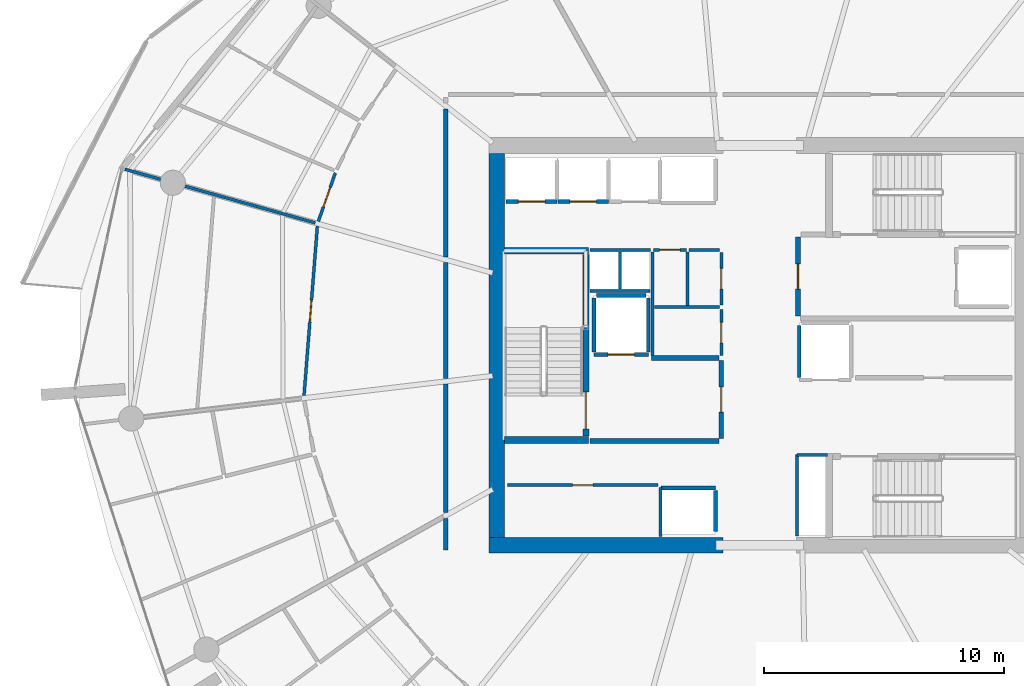
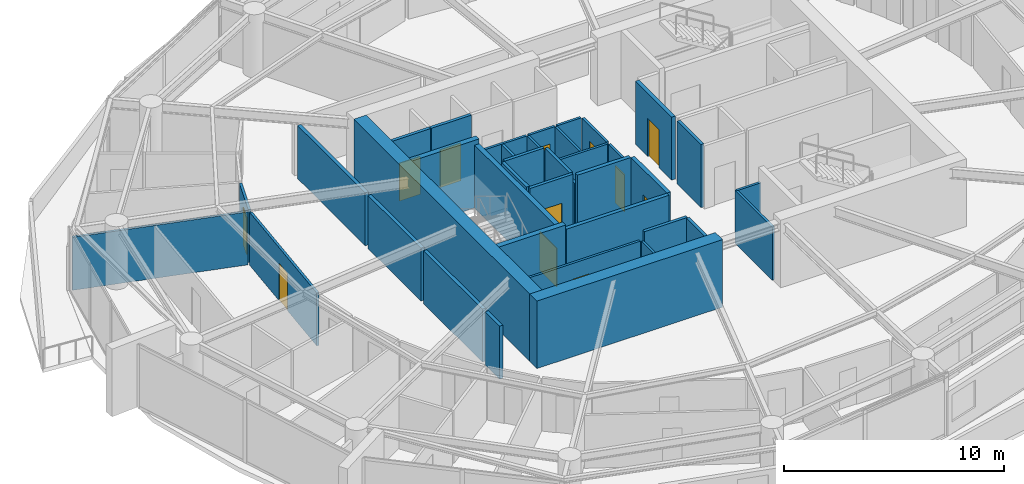
# One storey, part 12 of 21: 39 walls, 12 doors, 12 openings.
"""IFC4 building model written with IfcOpenShell, lengths in metres."""

from ifc_helpers import new_model, si_unit, direction, frame, frame_2d, origin, place, context, subcontext, project, spatial, rectangle, extrude, material, layer, layer_set, type_object, element, fill, save


model = new_model("IFC4")

# Units and contexts
model_context = context("Model", 3, precision=1e-05, world=origin(), true_north=direction((0.0, 1.0)))
body_context = subcontext(model_context, "Body", "Model", "MODEL_VIEW")
ifc_project = project(units=[si_unit("LENGTHUNIT", "METRE"), si_unit("AREAUNIT", "SQUARE_METRE"), si_unit("VOLUMEUNIT", "CUBIC_METRE"), si_unit("PLANEANGLEUNIT", "RADIAN"), si_unit("MASSUNIT", "GRAM", prefix="KILO")], contexts=[model_context])

# Site, building, storey
site_placement = place(None, origin())
site = spatial("IfcSite", under=ifc_project, at=site_placement, CompositionType="ELEMENT")
building_placement = place(site_placement, origin())
building = spatial("IfcBuilding", under=site, at=building_placement, Name="Kazma Halo Residences", CompositionType="ELEMENT")
storey_placement = place(building_placement, frame((0.0, 0.0, 191.550048828125)))
storey = spatial("IfcBuildingStorey", under=building, at=storey_placement, Name="L48", CompositionType="ELEMENT", Elevation=191.550048828125)

# Walls
ifc_material_1 = material(Name="Concrete C60/75", Category="concrete")
ifc_layer_1 = layer(ifc_material_1, 0.64990234375)
ifc_layer_set_1 = layer_set([ifc_layer_1], Name="Concrete C60/75")
wall_type_1 = type_object("IfcWallType", Name="WL-CORE-650", PredefinedType="SHEAR", material=ifc_layer_set_1)
wall_1_placement = place(storey_placement, frame((37.14990234375, 33.675048828125, 0.0), z_axis=(0.0, 0.0, 1.0), x_axis=(1.0, 0.0, 0.0)))
element("IfcWall", 1, at=wall_1_placement, inside=storey, type_object=wall_type_1, Name="L48 central core shear wall SW", PredefinedType="SHEAR", context=body_context, shape_type="SweptSolid", body=[
    extrude(rectangle(XDim=9.75, YDim=0.64990234375, at=frame_2d((4.875, 0.0))), origin(), (0.0, 0.0, 1.0), 3.75),
])
wall_2_placement = place(storey_placement, frame((37.47509765625, 34.0, 0.0), z_axis=(0.0, 0.0, 1.0), x_axis=(0.0, 1.0, 0.0)))
element("IfcWall", 2, at=wall_2_placement, inside=storey, type_object=wall_type_1, Name="L48 central core shear wall W", PredefinedType="SHEAR", context=body_context, shape_type="SweptSolid", body=[
    extrude(rectangle(XDim=16.0, YDim=0.64990234375, at=frame_2d((8.0, 0.0))), origin(), (0.0, 0.0, 1.0), 3.75),
])
ifc_layer_2 = layer(ifc_material_1, 0.280029296875)
ifc_layer_set_2 = layer_set([ifc_layer_2], Name="Concrete C60/75")
wall_type_2 = type_object("IfcWallType", Name="WL-CORE-ST-280", PredefinedType="SHEAR", material=ifc_layer_set_2)
for number, where, z_axis, x_axis, name in (
    (3, (37.800048828125, 38.06005859375, 0.0), (0.0, 0.0, 1.0), (1.0, 0.0, 0.0), "L48 stairwell bearing wall ST01-S"),
    (4, (37.800048828125, 45.93994140625, 0.0), (0.0, 0.0, 1.0), (1.0, 0.0, 0.0), "L48 stairwell bearing wall ST01-N"),
):
    element("IfcWall", number, at=place(storey_placement, frame(where, z_axis=z_axis, x_axis=x_axis)), inside=storey, type_object=wall_type_2, Name=name, PredefinedType="SHEAR", context=body_context, shape_type="SweptSolid", body=[
        extrude(rectangle(XDim=3.5, YDim=0.280029296875, at=frame_2d((1.75, 0.0))), origin(), (0.0, 0.0, 1.0), 3.75),
    ])
ifc_material_2 = material(Name="Acoustic Twin-Stud Gypsum")
ifc_layer_3 = layer(ifc_material_2, 0.179931640625)
ifc_layer_set_3 = layer_set([ifc_layer_3], Name="Acoustic Twin-Stud Gypsum")
wall_type_3 = type_object("IfcWallType", Name="WL-DEM-180", PredefinedType="PARTITIONING", material=ifc_layer_set_3)
wall_3_placement = place(storey_placement, frame((35.35009765625, 51.8525390625, 0.0), z_axis=(0.0, 0.0, 1.0), x_axis=(0.0, -1.0, 0.0)))
element("IfcWall", 5, at=wall_3_placement, inside=storey, type_object=wall_type_3, Name="L48 Apartment 1 inner wall 5", PredefinedType="PARTITIONING", context=body_context, shape_type="SweptSolid", body=[
    extrude(rectangle(XDim=6.164794921875, YDim=0.179931640625, at=frame_2d((3.08251953125, 0.0))), origin(), (0.0, 0.0, 1.0), 2.93994140625),
])
wall_4_placement = place(storey_placement, frame((35.35009765625, 45.44775390625, 0.0), z_axis=(0.0, 0.0, 1.0), x_axis=(0.0, -1.0, 0.0)))
element("IfcWall", 6, at=wall_4_placement, inside=storey, type_object=wall_type_3, Name="L48 Apartment 1 inner wall 6", PredefinedType="PARTITIONING", context=body_context, shape_type="SweptSolid", body=[
    extrude(rectangle(XDim=4.824951171875, YDim=0.179931640625, at=frame_2d((2.41259765625, 0.0))), origin(), (0.0, 0.0, 1.0), 2.93994140625),
])
wall_5_placement = place(storey_placement, frame((35.35009765625, 40.3828125, 0.0), z_axis=(0.0, 0.0, 1.0), x_axis=(0.0, -1.0, 0.0)))
element("IfcWall", 7, at=wall_5_placement, inside=storey, type_object=wall_type_3, Name="L48 Apartment 1 inner wall 7", PredefinedType="PARTITIONING", context=body_context, shape_type="SweptSolid", body=[
    extrude(rectangle(XDim=5.34716796875, YDim=0.179931640625, at=frame_2d((2.673583984375, 0.0))), origin(), (0.0, 0.0, 1.0), 2.93994140625),
])
wall_6_placement = place(storey_placement, frame((35.35009765625, 34.795654296875, 0.0), z_axis=(0.0, 0.0, 1.0), x_axis=(0.0, -1.0, 0.0)))
element("IfcWall", 8, at=wall_6_placement, inside=storey, type_object=wall_type_3, Name="L48 Apartment 2 inner wall 8", PredefinedType="PARTITIONING", context=body_context, shape_type="SweptSolid", body=[
    extrude(rectangle(XDim=1.32568359375, YDim=0.179931640625, at=frame_2d((0.662841796875, 0.0))), origin(), (0.0, 0.0, 1.0), 2.93994140625),
])

# Wall, opening, door
ifc_material_3 = material(Name="Fire-Rated Blockwork Masonry", Category="masonry")
ifc_layer_4 = layer(ifc_material_3, 0.199951171875)
ifc_layer_set_4 = layer_set([ifc_layer_4], Name="Fire-Rated Blockwork Masonry")
wall_type_4 = type_object("IfcWallType", Name="WL-FLB-200", PredefinedType="PARTITIONING", material=ifc_layer_set_4)
wall_7_placement = place(storey_placement, frame((39.97509765625, 47.9951171875, 0.0), z_axis=(0.0, 0.0, 1.0), x_axis=(-1.0, 0.0, 0.0)))
wall_7 = element("IfcWall", 9, at=wall_7_placement, inside=storey, type_object=wall_type_4, Name="L48 lift shaft PM-01 front wall", PredefinedType="PARTITIONING", context=body_context, shape_type="SweptSolid", body=[
    extrude(rectangle(XDim=2.110107421875, YDim=0.159912109375, at=frame_2d((1.05517578125, 0.0))), origin(), (0.0, 0.0, 1.0), 3.5),
])
opening_1_placement = place(wall_7_placement, frame((0.5048828125, 0.0, 0.0)))
opening_1 = element("IfcOpeningElement", 10, at=opening_1_placement, cuts=wall_7, Name="Opening LD-PM-01", PredefinedType="OPENING", context=body_context, shape_type="SweptSolid", body=[
    extrude(rectangle(XDim=1.10009765625, YDim=2.10009765625, at=frame_2d((0.550048828125, 1.050048828125))), frame((0.0, 0.08984375, 0.0), z_axis=(0.0, -1.0, 0.0), x_axis=(1.0, 0.0, 0.0)), (0.0, 0.0, 1.0), 0.179931640625),
])
ifc_material_4 = material(Name="Stainless Steel Fire-Rated", Category="steel")
door_type_1 = type_object("IfcDoorType", Name="DR-LIFT-SLD-1100", OperationType="DOUBLE_DOOR_SLIDING", PredefinedType="DOOR", material=ifc_material_4)
door_1_placement = place(opening_1_placement, origin())
door_1 = element("IfcDoor", 11, at=door_1_placement, inside=storey, type_object=door_type_1, Name="L48 lift PM-01 sliding landing door", OperationType="DOUBLE_DOOR_SLIDING", OverallHeight=2.10009765625, OverallWidth=1.10009765625, PredefinedType="DOOR", context=body_context, shape_type="SweptSolid", body=[
    extrude(rectangle(XDim=1.10009765625, YDim=2.10009765625, at=frame_2d((0.550048828125, 1.050048828125))), frame((0.0, 0.02490234375, 0.0), z_axis=(0.0, -1.0, 0.0), x_axis=(1.0, 0.0, 0.0)), (0.0, 0.0, 1.0), 0.050048828125),
])
fill(opening_1, door_1)

wall_8_placement = place(storey_placement, frame((42.125, 47.9951171875, 0.0), z_axis=(0.0, 0.0, 1.0), x_axis=(-1.0, 0.0, 0.0)))
wall_8 = element("IfcWall", 12, at=wall_8_placement, inside=storey, type_object=wall_type_4, Name="L48 lift shaft PM-02 front wall", PredefinedType="PARTITIONING", context=body_context, shape_type="SweptSolid", body=[
    extrude(rectangle(XDim=2.110107421875, YDim=0.159912109375, at=frame_2d((1.05517578125, 0.0))), origin(), (0.0, 0.0, 1.0), 3.5),
])
opening_2_placement = place(wall_8_placement, frame((0.5048828125, 0.0, 0.0)))
opening_2 = element("IfcOpeningElement", 13, at=opening_2_placement, cuts=wall_8, Name="Opening LD-PM-02", PredefinedType="OPENING", context=body_context, shape_type="SweptSolid", body=[
    extrude(rectangle(XDim=1.10009765625, YDim=2.10009765625, at=frame_2d((0.550048828125, 1.050048828125))), frame((0.0, 0.08984375, 0.0), z_axis=(0.0, -1.0, 0.0), x_axis=(1.0, 0.0, 0.0)), (0.0, 0.0, 1.0), 0.179931640625),
])
door_2_placement = place(opening_2_placement, origin())
door_2 = element("IfcDoor", 14, at=door_2_placement, inside=storey, type_object=door_type_1, Name="L48 lift PM-02 sliding landing door", OperationType="DOUBLE_DOOR_SLIDING", OverallHeight=2.10009765625, OverallWidth=1.10009765625, PredefinedType="DOOR", context=body_context, shape_type="SweptSolid", body=[
    extrude(rectangle(XDim=1.10009765625, YDim=2.10009765625, at=frame_2d((0.550048828125, 1.050048828125))), frame((0.0, 0.02490234375, 0.0), z_axis=(0.0, -1.0, 0.0), x_axis=(1.0, 0.0, 0.0)), (0.0, 0.0, 1.0), 0.050048828125),
])
fill(opening_2, door_2)

# Walls
wall_9_placement = place(storey_placement, frame((44.320068359375, 36.054931640625, 0.0), z_axis=(0.0, 0.0, 1.0), x_axis=(1.0, 0.0, 0.0)))
element("IfcWall", 15, at=wall_9_placement, inside=storey, type_object=wall_type_4, Name="L48 lift shaft PX-02 front wall", PredefinedType="PARTITIONING", context=body_context, shape_type="SweptSolid", body=[
    extrude(rectangle(XDim=2.260009765625, YDim=0.159912109375, at=frame_2d((1.1298828125, 0.0))), origin(), (0.0, 0.0, 1.0), 3.5),
])
wall_10_placement = place(storey_placement, frame((46.580078125, 34.2451171875, 0.0), z_axis=(0.0, 0.0, 1.0), x_axis=(0.0, 1.0, 0.0)))
element("IfcWall", 16, at=wall_10_placement, inside=storey, type_object=wall_type_4, Name="L48 lift shaft PX-02 side wall E", PredefinedType="PARTITIONING", context=body_context, shape_type="SweptSolid", body=[
    extrude(rectangle(XDim=1.7099609375, YDim=0.159912109375, at=frame_2d((0.85498046875, 0.0))), origin(), (0.0, 0.0, 1.0), 3.5),
])

# Wall, opening, door
wall_11_placement = place(storey_placement, frame((43.780029296875, 41.6201171875, 0.0), z_axis=(0.0, 0.0, 1.0), x_axis=(-1.0, 0.0, 0.0)))
wall_11 = element("IfcWall", 17, at=wall_11_placement, inside=storey, type_object=wall_type_4, Name="L48 lift shaft FL-01 front wall", PredefinedType="PARTITIONING", context=body_context, shape_type="SweptSolid", body=[
    extrude(rectangle(XDim=2.260009765625, YDim=0.159912109375, at=frame_2d((1.1298828125, 0.0))), origin(), (0.0, 0.0, 1.0), 3.5),
])
opening_3_placement = place(wall_11_placement, frame((0.580078125, 0.0, 0.0)))
opening_3 = element("IfcOpeningElement", 18, at=opening_3_placement, cuts=wall_11, Name="Opening LD-FL-01", PredefinedType="OPENING", context=body_context, shape_type="SweptSolid", body=[
    extrude(rectangle(XDim=1.10009765625, YDim=2.10009765625, at=frame_2d((0.550048828125, 1.050048828125))), frame((0.0, 0.08984375, 0.0), z_axis=(0.0, -1.0, 0.0), x_axis=(1.0, 0.0, 0.0)), (0.0, 0.0, 1.0), 0.179931640625),
])
door_3_placement = place(opening_3_placement, origin())
door_3 = element("IfcDoor", 19, at=door_3_placement, inside=storey, type_object=door_type_1, Name="L48 lift FL-01 sliding landing door", OperationType="DOUBLE_DOOR_SLIDING", OverallHeight=2.10009765625, OverallWidth=1.10009765625, PredefinedType="DOOR", context=body_context, shape_type="SweptSolid", body=[
    extrude(rectangle(XDim=1.10009765625, YDim=2.10009765625, at=frame_2d((0.550048828125, 1.050048828125))), frame((0.0, 0.02490234375, 0.0), z_axis=(0.0, -1.0, 0.0), x_axis=(1.0, 0.0, 0.0)), (0.0, 0.0, 1.0), 0.050048828125),
])
fill(opening_3, door_3)

# Walls
for number, where, z_axis, x_axis, name in (
    (20, (43.780029296875, 41.719970703125, 0.0), (0.0, 0.0, 1.0), (0.0, 1.0, 0.0), "L48 lift shaft FL-01 side wall E"),
    (21, (41.52001953125, 41.719970703125, 0.0), (0.0, 0.0, 1.0), (0.0, 1.0, 0.0), "L48 lift shaft FL-01 side wall W"),
):
    element("IfcWall", number, at=place(storey_placement, frame(where, z_axis=z_axis, x_axis=x_axis)), inside=storey, type_object=wall_type_4, Name=name, PredefinedType="PARTITIONING", context=body_context, shape_type="SweptSolid", body=[
        extrude(rectangle(XDim=2.260009765625, YDim=0.159912109375, at=frame_2d((1.1298828125, 0.0))), origin(), (0.0, 0.0, 1.0), 3.5),
    ])
wall_12_placement = place(storey_placement, frame((41.6201171875, 44.080078125, 0.0), z_axis=(0.0, 0.0, 1.0), x_axis=(1.0, 0.0, 0.0)))
element("IfcWall", 22, at=wall_12_placement, inside=storey, type_object=wall_type_4, Name="L48 lift shaft FL-01 side wall N", PredefinedType="PARTITIONING", context=body_context, shape_type="SweptSolid", body=[
    extrude(rectangle(XDim=2.059814453125, YDim=0.159912109375, at=frame_2d((1.02978515625, 0.0))), origin(), (0.0, 0.0, 1.0), 3.5),
])
wall_13_placement = place(storey_placement, frame((50.070068359375, 40.669921875, 0.0), z_axis=(0.0, 0.0, 1.0), x_axis=(0.0, 1.0, 0.0)))
element("IfcWall", 23, at=wall_13_placement, inside=storey, type_object=wall_type_4, Name="L48 lift shaft SV-01 side wall W", PredefinedType="PARTITIONING", context=body_context, shape_type="SweptSolid", body=[
    extrude(rectangle(XDim=2.16015625, YDim=0.159912109375, at=frame_2d((1.080078125, 0.0))), origin(), (0.0, 0.0, 1.0), 3.5),
])
wall_14_placement = place(storey_placement, frame((41.35009765625, 38.02001953125, 0.0), z_axis=(0.0, 0.0, 1.0), x_axis=(1.0, 0.0, 0.0)))
element("IfcWall", 24, at=wall_14_placement, inside=storey, type_object=wall_type_4, Name="L48 west firefighting lobby south smoke wall", PredefinedType="PARTITIONING", context=body_context, shape_type="SweptSolid", body=[
    extrude(rectangle(XDim=5.369873046875, YDim=0.199951171875, at=frame_2d((2.68505859375, 0.0))), origin(), (0.0, 0.0, 1.0), 3.5),
])
wall_15_placement = place(storey_placement, frame((43.919921875, 41.47998046875, 0.0), z_axis=(0.0, 0.0, 1.0), x_axis=(1.0, 0.0, 0.0)))
element("IfcWall", 25, at=wall_15_placement, inside=storey, type_object=wall_type_4, Name="L48 west firefighting lobby north smoke wall", PredefinedType="PARTITIONING", context=body_context, shape_type="SweptSolid", body=[
    extrude(rectangle(XDim=2.800048828125, YDim=0.199951171875, at=frame_2d((1.39990234375, 0.0))), origin(), (0.0, 0.0, 1.0), 3.5),
])

# Wall, opening, door
wall_16_placement = place(storey_placement, frame((46.820068359375, 38.1201171875, 0.0), z_axis=(0.0, 0.0, 1.0), x_axis=(0.0, 1.0, 0.0)))
wall_16 = element("IfcWall", 26, at=wall_16_placement, inside=storey, type_object=wall_type_4, Name="L48 west firefighting lobby smoke wall", PredefinedType="PARTITIONING", context=body_context, shape_type="SweptSolid", body=[
    extrude(rectangle(XDim=3.259765625, YDim=0.199951171875, at=frame_2d((1.6298828125, 0.0))), origin(), (0.0, 0.0, 1.0), 3.5),
])
opening_4_placement = place(wall_16_placement, frame((1.10498046875, 0.0, 0.0)))
opening_4 = element("IfcOpeningElement", 27, at=opening_4_placement, cuts=wall_16, Name="Opening D-FLW", PredefinedType="OPENING", context=body_context, shape_type="SweptSolid", body=[
    extrude(rectangle(XDim=1.050048828125, YDim=2.10009765625, at=frame_2d((0.52490234375, 1.050048828125))), frame((0.0, 0.10986328125, 0.0), z_axis=(0.0, -1.0, 0.0), x_axis=(1.0, 0.0, 0.0)), (0.0, 0.0, 1.0), 0.219970703125),
])
ifc_material_5 = material(Name="Fire-Rated Steel Leaf", Category="steel")
door_type_2 = type_object("IfcDoorType", Name="DR-FD90-1050", OperationType="NOTDEFINED", PredefinedType="DOOR", material=ifc_material_5)
door_4_placement = place(opening_4_placement, origin())
door_4 = element("IfcDoor", 28, at=door_4_placement, inside=storey, type_object=door_type_2, Name="L48 west firefighting lobby smoke door", OperationType="SINGLE_SWING_LEFT", OverallHeight=2.10009765625, OverallWidth=1.050048828125, PredefinedType="DOOR", context=body_context, shape_type="SweptSolid", body=[
    extrude(rectangle(XDim=1.050048828125, YDim=2.10009765625, at=frame_2d((0.52490234375, 1.050048828125))), frame((0.0, 0.02490234375, 0.0), z_axis=(0.0, -1.0, 0.0), x_axis=(1.0, 0.0, 0.0)), (0.0, 0.0, 1.0), 0.050048828125),
])
fill(opening_4, door_4)

wall_17_placement = place(storey_placement, frame((50.02001953125, 43.219970703125, 0.0), z_axis=(0.0, 0.0, 1.0), x_axis=(0.0, 1.0, 0.0)))
wall_17 = element("IfcWall", 29, at=wall_17_placement, inside=storey, type_object=wall_type_4, Name="L48 east firefighting lobby smoke wall", PredefinedType="PARTITIONING", context=body_context, shape_type="SweptSolid", body=[
    extrude(rectangle(XDim=3.300048828125, YDim=0.199951171875, at=frame_2d((1.64990234375, 0.0))), origin(), (0.0, 0.0, 1.0), 3.5),
])
opening_5_placement = place(wall_17_placement, frame((1.125, 0.0, 0.0)))
opening_5 = element("IfcOpeningElement", 30, at=opening_5_placement, cuts=wall_17, Name="Opening D-FLE", PredefinedType="OPENING", context=body_context, shape_type="SweptSolid", body=[
    extrude(rectangle(XDim=1.050048828125, YDim=2.10009765625, at=frame_2d((0.52490234375, 1.050048828125))), frame((0.0, 0.10986328125, 0.0), z_axis=(0.0, -1.0, 0.0), x_axis=(1.0, 0.0, 0.0)), (0.0, 0.0, 1.0), 0.219970703125),
])
door_5_placement = place(opening_5_placement, origin())
door_5 = element("IfcDoor", 31, at=door_5_placement, inside=storey, type_object=door_type_2, Name="L48 east firefighting lobby smoke door", OperationType="SINGLE_SWING_RIGHT", OverallHeight=2.10009765625, OverallWidth=1.050048828125, PredefinedType="DOOR", context=body_context, shape_type="SweptSolid", body=[
    extrude(rectangle(XDim=1.050048828125, YDim=2.10009765625, at=frame_2d((0.52490234375, 1.050048828125))), frame((0.0, 0.02490234375, 0.0), z_axis=(0.0, -1.0, 0.0), x_axis=(1.0, 0.0, 0.0)), (0.0, 0.0, 1.0), 0.050048828125),
])
fill(opening_5, door_5)

# Wall
ifc_material_6 = material(Name="Gypsum Plasterboard Partition")
ifc_layer_5 = layer(ifc_material_6, 0.125)
ifc_layer_set_5 = layer_set([ifc_layer_5], Name="Gypsum Plasterboard Partition")
wall_type_5 = type_object("IfcWallType", Name="WL-PART-125", PredefinedType="PARTITIONING", material=ifc_layer_set_5)
wall_18_placement = place(storey_placement, frame((44.280029296875, 34.050048828125, 0.0), z_axis=(0.0, 0.0, 1.0), x_axis=(0.0, 1.0, 0.0)))
element("IfcWall", 32, at=wall_18_placement, inside=storey, type_object=wall_type_5, Name="L48 reclaimed south east wall", PredefinedType="PARTITIONING", context=body_context, shape_type="SweptSolid", body=[
    extrude(rectangle(XDim=2.030029296875, YDim=0.125, at=frame_2d((1.01513671875, 0.0))), origin(), (0.0, 0.0, 1.0), 2.93994140625),
])

# Wall, opening, door
wall_19_placement = place(storey_placement, frame((37.919921875, 36.179931640625, 0.0), z_axis=(0.0, 0.0, 1.0), x_axis=(1.0, 0.0, 0.0)))
wall_19 = element("IfcWall", 33, at=wall_19_placement, inside=storey, type_object=wall_type_5, Name="L48 reclaimed south front wall", PredefinedType="PARTITIONING", context=body_context, shape_type="SweptSolid", body=[
    extrude(rectangle(XDim=6.260009765625, YDim=0.125, at=frame_2d((3.1298828125, 0.0))), origin(), (0.0, 0.0, 1.0), 2.93994140625),
])
opening_6_placement = place(wall_19_placement, frame((2.705078125, 0.0, 0.0)))
opening_6 = element("IfcOpeningElement", 34, at=opening_6_placement, cuts=wall_19, Name="Opening DS-850", PredefinedType="OPENING", context=body_context, shape_type="SweptSolid", body=[
    extrude(rectangle(XDim=0.85009765625, YDim=2.06005859375, at=frame_2d((0.425048828125, 1.030029296875))), frame((0.0, 0.072509765625, 0.0), z_axis=(0.0, -1.0, 0.0), x_axis=(1.0, 0.0, 0.0)), (0.0, 0.0, 1.0), 0.14501953125),
])
ifc_material_7 = material(Name="Painted Steel Access Leaf", Category="steel")
door_type_3 = type_object("IfcDoorType", Name="DR-SVC-850", OperationType="NOTDEFINED", PredefinedType="DOOR", material=ifc_material_7)
door_6_placement = place(opening_6_placement, origin())
door_6 = element("IfcDoor", 35, at=door_6_placement, inside=storey, type_object=door_type_3, Name="L48 reclaimed south service door", OperationType="SINGLE_SWING_LEFT", OverallHeight=2.06005859375, OverallWidth=0.85009765625, PredefinedType="DOOR", context=body_context, shape_type="SweptSolid", body=[
    extrude(rectangle(XDim=0.85009765625, YDim=2.06005859375, at=frame_2d((0.425048828125, 1.030029296875))), frame((0.0, 0.02490234375, 0.0), z_axis=(0.0, -1.0, 0.0), x_axis=(1.0, 0.0, 0.0)), (0.0, 0.0, 1.0), 0.050048828125),
])
fill(opening_6, door_6)

# Walls
wall_20_placement = place(storey_placement, frame((41.360107421875, 44.260009765625, 0.0), z_axis=(0.0, 0.0, 1.0), x_axis=(1.0, 0.0, 0.0)))
element("IfcWall", 36, at=wall_20_placement, inside=storey, type_object=wall_type_5, Name="L48 core riser south wall", PredefinedType="PARTITIONING", context=body_context, shape_type="SweptSolid", body=[
    extrude(rectangle(XDim=2.5, YDim=0.125, at=frame_2d((1.25, 0.0))), origin(), (0.0, 0.0, 1.0), 2.93994140625),
])
wall_21_placement = place(storey_placement, frame((42.60009765625, 44.35009765625, 0.0), z_axis=(0.0, 0.0, 1.0), x_axis=(0.0, 1.0, 0.0)))
element("IfcWall", 37, at=wall_21_placement, inside=storey, type_object=wall_type_5, Name="L48 core riser divider wall", PredefinedType="PARTITIONING", context=body_context, shape_type="SweptSolid", body=[
    extrude(rectangle(XDim=1.5498046875, YDim=0.125, at=frame_2d((0.77490234375, 0.0))), origin(), (0.0, 0.0, 1.0), 2.93994140625),
])
wall_22_placement = place(storey_placement, frame((49.97998046875, 34.06005859375, 0.0), z_axis=(0.0, 0.0, 1.0), x_axis=(0.0, 1.0, 0.0)))
element("IfcWall", 38, at=wall_22_placement, inside=storey, type_object=wall_type_5, Name="L48 standpipe riser wall", PredefinedType="PARTITIONING", context=body_context, shape_type="SweptSolid", body=[
    extrude(rectangle(XDim=3.39990234375, YDim=0.125, at=frame_2d((1.699951171875, 0.0))), origin(), (0.0, 0.0, 1.0), 2.93994140625),
])
wall_23_placement = place(storey_placement, frame((49.97998046875, 37.43994140625, 0.0), z_axis=(0.0, 0.0, 1.0), x_axis=(1.0, 0.0, 0.0)))
element("IfcWall", 39, at=wall_23_placement, inside=storey, type_object=wall_type_5, Name="L48 standpipe riser north wall", PredefinedType="PARTITIONING", context=body_context, shape_type="SweptSolid", body=[
    extrude(rectangle(XDim=1.260009765625, YDim=0.125, at=frame_2d((0.6298828125, 0.0))), origin(), (0.0, 0.0, 1.0), 2.93994140625),
])
wall_24_placement = place(storey_placement, frame((43.949951171875, 41.580078125, 0.0), z_axis=(0.0, 0.0, 1.0), x_axis=(0.0, 1.0, 0.0)))
element("IfcWall", 40, at=wall_24_placement, inside=storey, type_object=wall_type_5, Name="L48 core service west wall", PredefinedType="PARTITIONING", context=body_context, shape_type="SweptSolid", body=[
    extrude(rectangle(XDim=4.31982421875, YDim=0.125, at=frame_2d((2.159912109375, 0.0))), origin(), (0.0, 0.0, 1.0), 2.93994140625),
])
wall_25_placement = place(storey_placement, frame((44.030029296875, 43.590087890625, 0.0), z_axis=(0.0, 0.0, 1.0), x_axis=(1.0, 0.0, 0.0)))
element("IfcWall", 41, at=wall_25_placement, inside=storey, type_object=wall_type_5, Name="L48 core service horiz divider", PredefinedType="PARTITIONING", context=body_context, shape_type="SweptSolid", body=[
    extrude(rectangle(XDim=2.7099609375, YDim=0.125, at=frame_2d((1.35498046875, 0.0))), origin(), (0.0, 0.0, 1.0), 2.93994140625),
])
wall_26_placement = place(storey_placement, frame((45.409912109375, 43.669921875, 0.0), z_axis=(0.0, 0.0, 1.0), x_axis=(0.0, 1.0, 0.0)))
element("IfcWall", 42, at=wall_26_placement, inside=storey, type_object=wall_type_5, Name="L48 core service vert divider", PredefinedType="PARTITIONING", context=body_context, shape_type="SweptSolid", body=[
    extrude(rectangle(XDim=2.22998046875, YDim=0.125, at=frame_2d((1.114990234375, 0.0))), origin(), (0.0, 0.0, 1.0), 2.93994140625),
])

# Wall, opening, door
wall_27_placement = place(storey_placement, frame((46.820068359375, 41.580078125, 0.0), z_axis=(0.0, 0.0, 1.0), x_axis=(0.0, 1.0, 0.0)))
wall_27 = element("IfcWall", 43, at=wall_27_placement, inside=storey, type_object=wall_type_5, Name="L48 refuse room east wall", PredefinedType="PARTITIONING", context=body_context, shape_type="SweptSolid", body=[
    extrude(rectangle(XDim=1.909912109375, YDim=0.125, at=frame_2d((0.955078125, 0.0))), origin(), (0.0, 0.0, 1.0), 2.93994140625),
])
opening_7_placement = place(wall_27_placement, frame((0.530029296875, 0.0, 0.0)))
opening_7 = element("IfcOpeningElement", 44, at=opening_7_placement, cuts=wall_27, Name="Opening DS-850", PredefinedType="OPENING", context=body_context, shape_type="SweptSolid", body=[
    extrude(rectangle(XDim=0.85009765625, YDim=2.06005859375, at=frame_2d((0.425048828125, 1.030029296875))), frame((0.0, 0.072509765625, 0.0), z_axis=(0.0, -1.0, 0.0), x_axis=(1.0, 0.0, 0.0)), (0.0, 0.0, 1.0), 0.14501953125),
])
door_7_placement = place(opening_7_placement, origin())
door_7 = element("IfcDoor", 45, at=door_7_placement, inside=storey, type_object=door_type_3, Name="L48 refuse room door", OperationType="SINGLE_SWING_LEFT", OverallHeight=2.06005859375, OverallWidth=0.85009765625, PredefinedType="DOOR", context=body_context, shape_type="SweptSolid", body=[
    extrude(rectangle(XDim=0.85009765625, YDim=2.06005859375, at=frame_2d((0.425048828125, 1.030029296875))), frame((0.0, 0.02490234375, 0.0), z_axis=(0.0, -1.0, 0.0), x_axis=(1.0, 0.0, 0.0)), (0.0, 0.0, 1.0), 0.050048828125),
])
fill(opening_7, door_7)

wall_28_placement = place(storey_placement, frame((46.820068359375, 43.68994140625, 0.0), z_axis=(0.0, 0.0, 1.0), x_axis=(0.0, 1.0, 0.0)))
wall_28 = element("IfcWall", 46, at=wall_28_placement, inside=storey, type_object=wall_type_5, Name="L48 sub-metering east wall", PredefinedType="PARTITIONING", context=body_context, shape_type="SweptSolid", body=[
    extrude(rectangle(XDim=2.18994140625, YDim=0.125, at=frame_2d((1.094970703125, 0.0))), origin(), (0.0, 0.0, 1.0), 2.93994140625),
])
opening_8_placement = place(wall_28_placement, frame((0.669921875, 0.0, 0.0)))
opening_8 = element("IfcOpeningElement", 47, at=opening_8_placement, cuts=wall_28, Name="Opening DS-850", PredefinedType="OPENING", context=body_context, shape_type="SweptSolid", body=[
    extrude(rectangle(XDim=0.85009765625, YDim=2.06005859375, at=frame_2d((0.425048828125, 1.030029296875))), frame((0.0, 0.072509765625, 0.0), z_axis=(0.0, -1.0, 0.0), x_axis=(1.0, 0.0, 0.0)), (0.0, 0.0, 1.0), 0.14501953125),
])
door_8_placement = place(opening_8_placement, origin())
door_8 = element("IfcDoor", 48, at=door_8_placement, inside=storey, type_object=door_type_3, Name="L48 sub-metering door", OperationType="SINGLE_SWING_RIGHT", OverallHeight=2.06005859375, OverallWidth=0.85009765625, PredefinedType="DOOR", context=body_context, shape_type="SweptSolid", body=[
    extrude(rectangle(XDim=0.85009765625, YDim=2.06005859375, at=frame_2d((0.425048828125, 1.030029296875))), frame((0.0, 0.02490234375, 0.0), z_axis=(0.0, -1.0, 0.0), x_axis=(1.0, 0.0, 0.0)), (0.0, 0.0, 1.0), 0.050048828125),
])
fill(opening_8, door_8)

# Wall
wall_29_placement = place(storey_placement, frame((41.35009765625, 45.97998046875, 0.0), z_axis=(0.0, 0.0, 1.0), x_axis=(1.0, 0.0, 0.0)))
element("IfcWall", 49, at=wall_29_placement, inside=storey, type_object=wall_type_5, Name="L48 core riser NW wall", PredefinedType="PARTITIONING", context=body_context, shape_type="SweptSolid", body=[
    extrude(rectangle(XDim=2.52978515625, YDim=0.125, at=frame_2d((1.264892578125, 0.0))), origin(), (0.0, 0.0, 1.0), 2.93994140625),
])

# Wall, opening, door
wall_30_placement = place(storey_placement, frame((43.989990234375, 45.97998046875, 0.0), z_axis=(0.0, 0.0, 1.0), x_axis=(1.0, 0.0, 0.0)))
wall_30 = element("IfcWall", 50, at=wall_30_placement, inside=storey, type_object=wall_type_5, Name="L48 cleaners cupboard north wall", PredefinedType="PARTITIONING", context=body_context, shape_type="SweptSolid", body=[
    extrude(rectangle(XDim=1.380126953125, YDim=0.125, at=frame_2d((0.68994140625, 0.0))), origin(), (0.0, 0.0, 1.0), 2.93994140625),
])
opening_9_placement = place(wall_30_placement, frame((0.264892578125, 0.0, 0.0)))
opening_9 = element("IfcOpeningElement", 51, at=opening_9_placement, cuts=wall_30, Name="Opening DS-850", PredefinedType="OPENING", context=body_context, shape_type="SweptSolid", body=[
    extrude(rectangle(XDim=0.85009765625, YDim=2.06005859375, at=frame_2d((0.425048828125, 1.030029296875))), frame((0.0, 0.072509765625, 0.0), z_axis=(0.0, -1.0, 0.0), x_axis=(1.0, 0.0, 0.0)), (0.0, 0.0, 1.0), 0.14501953125),
])
door_9_placement = place(opening_9_placement, origin())
door_9 = element("IfcDoor", 52, at=door_9_placement, inside=storey, type_object=door_type_3, Name="L48 cleaners cupboard door", OperationType="SINGLE_SWING_LEFT", OverallHeight=2.06005859375, OverallWidth=0.85009765625, PredefinedType="DOOR", context=body_context, shape_type="SweptSolid", body=[
    extrude(rectangle(XDim=0.85009765625, YDim=2.06005859375, at=frame_2d((0.425048828125, 1.030029296875))), frame((0.0, 0.02490234375, 0.0), z_axis=(0.0, -1.0, 0.0), x_axis=(1.0, 0.0, 0.0)), (0.0, 0.0, 1.0), 0.050048828125),
])
fill(opening_9, door_9)

# Wall
wall_31_placement = place(storey_placement, frame((45.47998046875, 45.97998046875, 0.0), z_axis=(0.0, 0.0, 1.0), x_axis=(1.0, 0.0, 0.0)))
element("IfcWall", 53, at=wall_31_placement, inside=storey, type_object=wall_type_5, Name="L48 sub-metering north wall", PredefinedType="PARTITIONING", context=body_context, shape_type="SweptSolid", body=[
    extrude(rectangle(XDim=1.260009765625, YDim=0.125, at=frame_2d((0.6298828125, 0.0))), origin(), (0.0, 0.0, 1.0), 2.93994140625),
])

# Wall, opening, door
wall_32_placement = place(storey_placement, frame((30.74658203125, 49.183349609375, 0.0), z_axis=(0.0, 0.0, 1.0), x_axis=(-0.330533820554, -0.943794147825, 0.0)))
wall_32 = element("IfcWall", 54, at=wall_32_placement, inside=storey, type_object=wall_type_5, Name="L48 Apartment 1 Primary Bedroom hall wall", PredefinedType="PARTITIONING", context=body_context, shape_type="SweptSolid", body=[
    extrude(rectangle(XDim=2.134521484375, YDim=0.125, at=frame_2d((1.0673828125, 0.0))), origin(), (0.0, 0.0, 1.0), 2.93994140625),
])
opening_10_placement = place(wall_32_placement, frame((0.642333984375, 0.0, 0.0)))
opening_10 = element("IfcOpeningElement", 55, at=opening_10_placement, cuts=wall_32, Name="Opening DB-900", PredefinedType="OPENING", context=body_context, shape_type="SweptSolid", body=[
    extrude(rectangle(XDim=0.85009765625, YDim=2.06005859375, at=frame_2d((0.425048828125, 1.030029296875))), frame((0.0, 0.072509765625, 0.0), z_axis=(0.0, -1.0, 0.0), x_axis=(1.0, 0.0, 0.0)), (0.0, 0.0, 1.0), 0.14501953125),
])
ifc_material_8 = material(Name="Moisture-Sealed Timber Leaf", Category="wood")
door_type_4 = type_object("IfcDoorType", Name="DR-BTH-900", OperationType="NOTDEFINED", PredefinedType="DOOR", material=ifc_material_8)
door_10_placement = place(opening_10_placement, origin())
door_10 = element("IfcDoor", 56, at=door_10_placement, inside=storey, type_object=door_type_4, Name="L48 Apartment 1 Primary Bedroom door", OperationType="SINGLE_SWING_LEFT", OverallHeight=2.06005859375, OverallWidth=0.85009765625, PredefinedType="DOOR", context=body_context, shape_type="SweptSolid", body=[
    extrude(rectangle(XDim=0.85009765625, YDim=2.06005859375, at=frame_2d((0.425048828125, 1.030029296875))), frame((0.0, 0.02490234375, 0.0), z_axis=(0.0, -1.0, 0.0), x_axis=(1.0, 0.0, 0.0)), (0.0, 0.0, 1.0), 0.050048828125),
])
fill(opening_10, door_10)

# Wall
wall_33_placement = place(storey_placement, frame((29.91162109375, 47.101318359375, 0.0), z_axis=(0.0, 0.0, 1.0), x_axis=(-0.962449080254, 0.271462277156, 0.0)))
element("IfcWall", 57, at=wall_33_placement, inside=storey, type_object=wall_type_5, Name="L48 Apartment 1 radial partition 6", PredefinedType="PARTITIONING", context=body_context, shape_type="SweptSolid", body=[
    extrude(rectangle(XDim=8.236328125, YDim=0.125, at=frame_2d((4.1181640625, 0.0))), origin(), (0.0, 0.0, 1.0), 2.93994140625),
])

# Wall, opening, door
wall_34_placement = place(storey_placement, frame((29.999267578125, 46.964599609375, 0.0), z_axis=(0.0, 0.0, 1.0), x_axis=(-0.07848314737, -0.996915440536, 0.0)))
wall_34 = element("IfcWall", 58, at=wall_34_placement, inside=storey, type_object=wall_type_5, Name="L48 Apartment 1 Primary Study hall wall", PredefinedType="PARTITIONING", context=body_context, shape_type="SweptSolid", body=[
    extrude(rectangle(XDim=7.07373046875, YDim=0.125, at=frame_2d((3.536865234375, 0.0))), origin(), (0.0, 0.0, 1.0), 2.93994140625),
])
opening_11_placement = place(wall_34_placement, frame((3.0869140625, 0.0, 0.0)))
opening_11 = element("IfcOpeningElement", 59, at=opening_11_placement, cuts=wall_34, Name="Opening DI-950", PredefinedType="OPENING", context=body_context, shape_type="SweptSolid", body=[
    extrude(rectangle(XDim=0.89990234375, YDim=2.080078125, at=frame_2d((0.449951171875, 1.0400390625))), frame((0.0, 0.072509765625, 0.0), z_axis=(0.0, -1.0, 0.0), x_axis=(1.0, 0.0, 0.0)), (0.0, 0.0, 1.0), 0.14501953125),
])
ifc_material_9 = material(Name="Timber Veneer Flush Leaf", Category="wood")
door_type_5 = type_object("IfcDoorType", Name="DR-INT-950", OperationType="NOTDEFINED", PredefinedType="DOOR", material=ifc_material_9)
door_11_placement = place(opening_11_placement, origin())
door_11 = element("IfcDoor", 60, at=door_11_placement, inside=storey, type_object=door_type_5, Name="L48 Apartment 1 Primary Study door", OperationType="SINGLE_SWING_LEFT", OverallHeight=2.080078125, OverallWidth=0.89990234375, PredefinedType="DOOR", context=body_context, shape_type="SweptSolid", body=[
    extrude(rectangle(XDim=0.89990234375, YDim=2.080078125, at=frame_2d((0.449951171875, 1.0400390625))), frame((0.0, 0.02490234375, 0.0), z_axis=(0.0, -1.0, 0.0), x_axis=(1.0, 0.0, 0.0)), (0.0, 0.0, 1.0), 0.050048828125),
])
fill(opening_11, door_11)

ifc_material_10 = material(Name="Concrete C50/60", Category="concrete")
ifc_layer_6 = layer(ifc_material_10, 0.25)
ifc_layer_set_6 = layer_set([ifc_layer_6], Name="Concrete C50/60")
wall_type_6 = type_object("IfcWallType", Name="WL-SHF-250", PredefinedType="SOLIDWALL", material=ifc_layer_set_6)
wall_35_placement = place(storey_placement, frame((41.179931640625, 38.219970703125, 0.0), z_axis=(0.0, 0.0, 1.0), x_axis=(0.0, 1.0, 0.0)))
wall_35 = element("IfcWall", 61, at=wall_35_placement, inside=storey, type_object=wall_type_6, Name="L48 exit stair ST-01 enclosure wall", PredefinedType="SOLIDWALL", context=body_context, shape_type="SweptSolid", body=[
    extrude(rectangle(XDim=7.56005859375, YDim=0.25, at=frame_2d((3.780029296875, 0.0))), origin(), (0.0, 0.0, 1.0), 3.5),
])
opening_12_placement = place(wall_35_placement, frame((0.300048828125, 0.0, 0.0)))
opening_12 = element("IfcOpeningElement", 62, at=opening_12_placement, cuts=wall_35, Name="Opening D-ST1", PredefinedType="OPENING", context=body_context, shape_type="SweptSolid", body=[
    extrude(rectangle(XDim=1.550048828125, YDim=2.14990234375, at=frame_2d((0.77490234375, 1.074951171875))), frame((0.0, 0.135009765625, 0.0), z_axis=(0.0, -1.0, 0.0), x_axis=(1.0, 0.0, 0.0)), (0.0, 0.0, 1.0), 0.27001953125),
])
ifc_material_11 = material(Name="Fire-Rated Double Steel Leaf", Category="steel")
door_type_6 = type_object("IfcDoorType", Name="DR-FD90-1550", OperationType="NOTDEFINED", PredefinedType="DOOR", material=ifc_material_11)
door_12_placement = place(opening_12_placement, origin())
door_12 = element("IfcDoor", 63, at=door_12_placement, inside=storey, type_object=door_type_6, Name="L48 exit stair ST-01 fire door", OperationType="DOUBLE_DOOR_SINGLE_SWING", OverallHeight=2.14990234375, OverallWidth=1.550048828125, PredefinedType="DOOR", context=body_context, shape_type="SweptSolid", body=[
    extrude(rectangle(XDim=1.550048828125, YDim=2.14990234375, at=frame_2d((0.77490234375, 1.074951171875))), frame((0.0, 0.02490234375, 0.0), z_axis=(0.0, -1.0, 0.0), x_axis=(1.0, 0.0, 0.0)), (0.0, 0.0, 1.0), 0.050048828125),
])
fill(opening_12, door_12)

save(model, "model.ifc")
